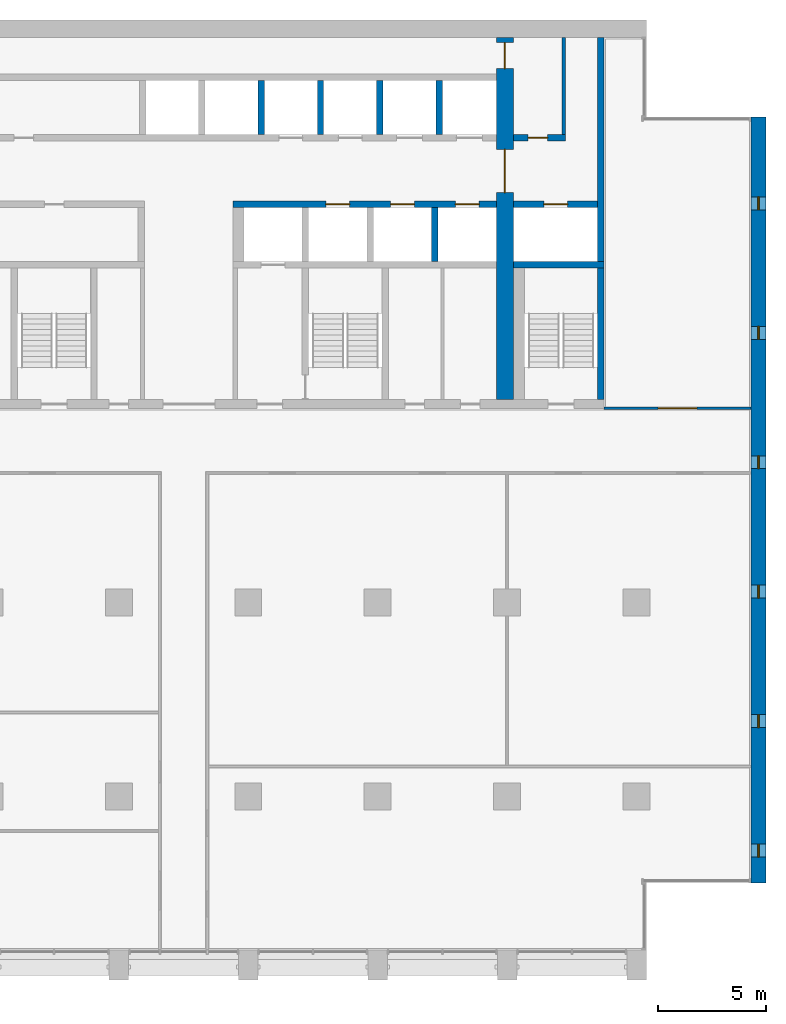
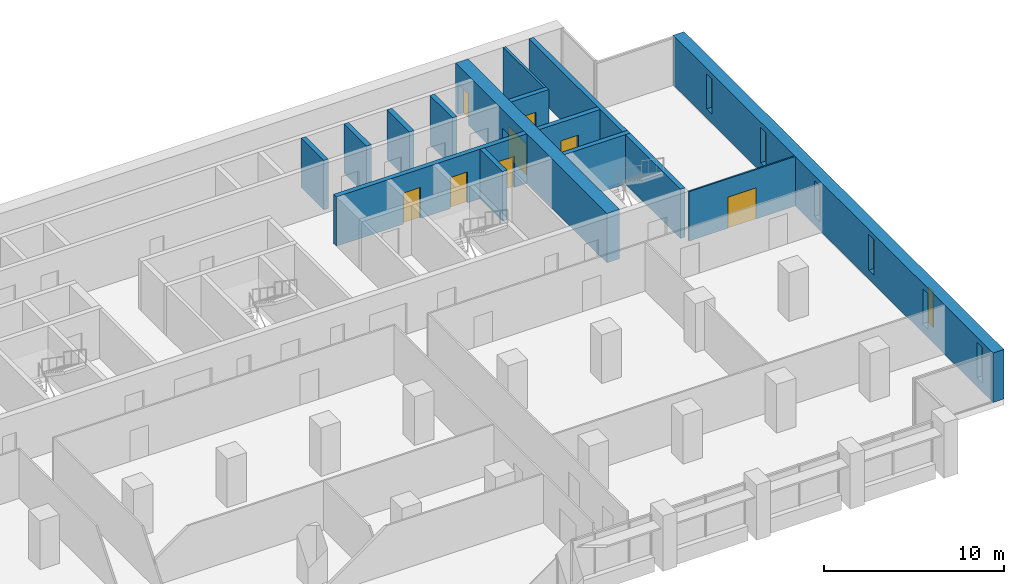
# One storey, part 11 of 15: 15 walls, 8 doors, 6 windows, 14 openings.
"""IFC4 building model written with IfcOpenShell, lengths in metres."""

from ifc_helpers import new_model, si_unit, direction, frame, frame_2d, origin, place, context, subcontext, project, spatial, rectangle, extrude, material, layer, layer_set, type_object, element, fill, save


model = new_model("IFC4")

# Units and contexts
model_context = context("Model", 3, precision=1e-05, world=origin(), true_north=direction((0.0, 1.0)))
body_context = subcontext(model_context, "Body", "Model", "MODEL_VIEW")
ifc_project = project(units=[si_unit("LENGTHUNIT", "METRE"), si_unit("AREAUNIT", "SQUARE_METRE"), si_unit("VOLUMEUNIT", "CUBIC_METRE"), si_unit("PLANEANGLEUNIT", "RADIAN"), si_unit("MASSUNIT", "GRAM", prefix="KILO")], contexts=[model_context])

# Site, building, storey
site_placement = place(None, origin())
site = spatial("IfcSite", under=ifc_project, at=site_placement, CompositionType="ELEMENT")
building_placement = place(site_placement, origin())
building = spatial("IfcBuilding", under=site, at=building_placement, Name="Calvaro Tower", CompositionType="ELEMENT")
storey_placement = place(building_placement, frame((0.0, 0.0, 143.75)))
storey = spatial("IfcBuildingStorey", under=building, at=storey_placement, Name="L36", CompositionType="ELEMENT", Elevation=143.75)

# Wall
ifc_material_1 = material(Name="Blockwork partition", Category="masonry")
ifc_layer_1 = layer(ifc_material_1, 0.14990234375)
ifc_layer_set_1 = layer_set([ifc_layer_1], Name="Blockwork partition")
wall_type_1 = type_object("IfcWallType", Name="Core partition 150 REI 120", PredefinedType="PARTITIONING", material=ifc_layer_set_1)
wall_1_placement = place(storey_placement, frame((62.625, 40.699951171875, 0.0), z_axis=(0.0, 0.0, 1.0), x_axis=(0.0, 1.0, 0.0)))
element("IfcWall", 1, at=wall_1_placement, inside=storey, type_object=wall_type_1, Name="Core partition", PredefinedType="PARTITIONING", context=body_context, shape_type="SweptSolid", body=[
    extrude(rectangle(XDim=4.5, YDim=0.14990234375, at=frame_2d((2.25, 0.0))), origin(), (0.0, 0.0, 1.0), 3.35009765625),
])

# Wall, opening, door
ifc_material_2 = material(Name="Blockwork partition", Category="masonry")
ifc_layer_2 = layer(ifc_material_2, 0.300048828125)
ifc_layer_set_2 = layer_set([ifc_layer_2], Name="Blockwork partition")
wall_type_2 = type_object("IfcWallType", Name="Core partition 300 REI 120", PredefinedType="PARTITIONING", material=ifc_layer_set_2)
wall_2_placement = place(storey_placement, frame((60.300048828125, 40.550048828125, 0.0), z_axis=(0.0, 0.0, 1.0), x_axis=(1.0, 0.0, 0.0)))
wall_2 = element("IfcWall", 2, at=wall_2_placement, inside=storey, type_object=wall_type_2, Name="Core partition", PredefinedType="PARTITIONING", context=body_context, shape_type="SweptSolid", body=[
    extrude(rectangle(XDim=2.39990234375, YDim=0.300048828125, at=frame_2d((1.199951171875, 0.0))), origin(), (0.0, 0.0, 1.0), 3.35009765625),
])
opening_1_placement = place(wall_2_placement, frame((0.675048828125, 0.0, 0.0)))
opening_1 = element("IfcOpeningElement", 3, at=opening_1_placement, cuts=wall_2, Name="Opening RD9E", PredefinedType="OPENING", context=body_context, shape_type="SweptSolid", body=[
    extrude(rectangle(XDim=0.89990234375, YDim=2.10009765625, at=frame_2d((0.449951171875, 1.050048828125))), frame((0.0, 0.159912109375, 0.0), z_axis=(0.0, -1.0, 0.0), x_axis=(1.0, 0.0, 0.0)), (0.0, 0.0, 1.0), 0.320068359375),
])
ifc_material_3 = material(Name="Steel door set", Category="steel")
door_type_1 = type_object("IfcDoorType", Name="Room door 900 FD60", OperationType="SINGLE_SWING_LEFT", PredefinedType="DOOR", material=ifc_material_3)
door_1_placement = place(opening_1_placement, origin())
door_1 = element("IfcDoor", 4, at=door_1_placement, inside=storey, type_object=door_type_1, Name="Room door", OperationType="SINGLE_SWING_LEFT", OverallHeight=2.10009765625, OverallWidth=0.89990234375, PredefinedType="DOOR", context=body_context, shape_type="SweptSolid", body=[
    extrude(rectangle(XDim=0.89990234375, YDim=2.10009765625, at=frame_2d((0.449951171875, 1.050048828125))), frame((0.0, 0.02490234375, 0.0), z_axis=(0.0, -1.0, 0.0), x_axis=(1.0, 0.0, 0.0)), (0.0, 0.0, 1.0), 0.050048828125),
])
fill(opening_1, door_1)

# Walls
ifc_material_4 = material(Name="Concrete C60/75", Category="concrete")
ifc_layer_3 = layer(ifc_material_4, 0.300048828125)
ifc_layer_set_3 = layer_set([ifc_layer_3], Name="Concrete C60/75")
wall_type_3 = type_object("IfcWallType", Name="Core wall C60/75 300", PredefinedType="SHEAR", material=ifc_layer_set_3)
wall_3_placement = place(storey_placement, frame((64.35009765625, 34.800048828125, 0.0), z_axis=(0.0, 0.0, 1.0), x_axis=(0.0, 1.0, 0.0)))
element("IfcWall", 5, at=wall_3_placement, inside=storey, type_object=wall_type_3, Name="Core wall, boundary", PredefinedType="SHEAR", context=body_context, shape_type="SweptSolid", body=[
    extrude(rectangle(XDim=10.39990234375, YDim=0.300048828125, at=frame_2d((5.199951171875, 0.0))), origin(), (0.0, 0.0, 1.0), 3.35009765625),
])
wall_4_placement = place(storey_placement, frame((64.35009765625, 28.39990234375, 0.0), z_axis=(0.0, 0.0, 1.0), x_axis=(0.0, 1.0, 0.0)))
element("IfcWall", 6, at=wall_4_placement, inside=storey, type_object=wall_type_3, Name="Core wall, stair enclosure", PredefinedType="SHEAR", context=body_context, shape_type="SweptSolid", body=[
    extrude(rectangle(XDim=6.10009765625, YDim=0.300048828125, at=frame_2d((3.050048828125, 0.0))), origin(), (0.0, 0.0, 1.0), 3.35009765625),
])
wall_5_placement = place(storey_placement, frame((60.300048828125, 34.64990234375, 0.0), z_axis=(0.0, 0.0, 1.0), x_axis=(1.0, 0.0, 0.0)))
element("IfcWall", 7, at=wall_5_placement, inside=storey, type_object=wall_type_3, Name="Core wall, lift shaft", PredefinedType="SHEAR", context=body_context, shape_type="SweptSolid", body=[
    extrude(rectangle(XDim=4.199951171875, YDim=0.300048828125, at=frame_2d((2.10009765625, 0.0))), origin(), (0.0, 0.0, 1.0), 3.35009765625),
])

# Wall, openings, doors
wall_6_placement = place(storey_placement, frame((47.300048828125, 37.449951171875, 0.0), z_axis=(0.0, 0.0, 1.0), x_axis=(1.0, 0.0, 0.0)))
wall_6 = element("IfcWall", 8, at=wall_6_placement, inside=storey, type_object=wall_type_3, Name="Core wall, lift shaft", PredefinedType="SHEAR", context=body_context, shape_type="SweptSolid", body=[
    extrude(rectangle(XDim=12.199951171875, YDim=0.300048828125, at=frame_2d((6.10009765625, 0.0))), origin(), (0.0, 0.0, 1.0), 3.35009765625),
])
opening_2_placement = place(wall_6_placement, frame((4.300048828125, 0.0, 0.0)))
opening_2 = element("IfcOpeningElement", 9, at=opening_2_placement, cuts=wall_6, Name="Opening MR1", PredefinedType="OPENING", context=body_context, shape_type="SweptSolid", body=[
    extrude(rectangle(XDim=1.10009765625, YDim=2.10009765625, at=frame_2d((0.550048828125, 1.050048828125))), frame((0.0, 0.159912109375, 0.0), z_axis=(0.0, -1.0, 0.0), x_axis=(1.0, 0.0, 0.0)), (0.0, 0.0, 1.0), 0.320068359375),
])
opening_3_placement = place(wall_6_placement, frame((7.300048828125, 0.0, 0.0)))
opening_3 = element("IfcOpeningElement", 10, at=opening_3_placement, cuts=wall_6, Name="Opening MR2", PredefinedType="OPENING", context=body_context, shape_type="SweptSolid", body=[
    extrude(rectangle(XDim=1.10009765625, YDim=2.10009765625, at=frame_2d((0.550048828125, 1.050048828125))), frame((0.0, 0.159912109375, 0.0), z_axis=(0.0, -1.0, 0.0), x_axis=(1.0, 0.0, 0.0)), (0.0, 0.0, 1.0), 0.320068359375),
])
opening_4_placement = place(wall_6_placement, frame((10.300048828125, 0.0, 0.0)))
opening_4 = element("IfcOpeningElement", 11, at=opening_4_placement, cuts=wall_6, Name="Opening MR3", PredefinedType="OPENING", context=body_context, shape_type="SweptSolid", body=[
    extrude(rectangle(XDim=1.10009765625, YDim=2.10009765625, at=frame_2d((0.550048828125, 1.050048828125))), frame((0.0, 0.159912109375, 0.0), z_axis=(0.0, -1.0, 0.0), x_axis=(1.0, 0.0, 0.0)), (0.0, 0.0, 1.0), 0.320068359375),
])
ifc_material_5 = material(Name="Stainless steel", Category="steel")
door_type_2 = type_object("IfcDoorType", Name="Landing door 1100 E 60", OperationType="SLIDING_TO_LEFT", PredefinedType="DOOR", material=ifc_material_5)
door_2_placement = place(opening_2_placement, origin())
door_2 = element("IfcDoor", 12, at=door_2_placement, inside=storey, type_object=door_type_2, Name="Landing door MR1", OperationType="SLIDING_TO_LEFT", OverallHeight=2.10009765625, OverallWidth=1.10009765625, PredefinedType="DOOR", context=body_context, shape_type="SweptSolid", body=[
    extrude(rectangle(XDim=1.10009765625, YDim=2.10009765625, at=frame_2d((0.550048828125, 1.050048828125))), frame((0.0, 0.02490234375, 0.0), z_axis=(0.0, -1.0, 0.0), x_axis=(1.0, 0.0, 0.0)), (0.0, 0.0, 1.0), 0.050048828125),
])
fill(opening_2, door_2)
door_3_placement = place(opening_3_placement, origin())
door_3 = element("IfcDoor", 13, at=door_3_placement, inside=storey, type_object=door_type_2, Name="Landing door MR2", OperationType="SLIDING_TO_LEFT", OverallHeight=2.10009765625, OverallWidth=1.10009765625, PredefinedType="DOOR", context=body_context, shape_type="SweptSolid", body=[
    extrude(rectangle(XDim=1.10009765625, YDim=2.10009765625, at=frame_2d((0.550048828125, 1.050048828125))), frame((0.0, 0.02490234375, 0.0), z_axis=(0.0, -1.0, 0.0), x_axis=(1.0, 0.0, 0.0)), (0.0, 0.0, 1.0), 0.050048828125),
])
fill(opening_3, door_3)
door_4_placement = place(opening_4_placement, origin())
door_4 = element("IfcDoor", 14, at=door_4_placement, inside=storey, type_object=door_type_2, Name="Landing door MR3", OperationType="SLIDING_TO_LEFT", OverallHeight=2.10009765625, OverallWidth=1.10009765625, PredefinedType="DOOR", context=body_context, shape_type="SweptSolid", body=[
    extrude(rectangle(XDim=1.10009765625, YDim=2.10009765625, at=frame_2d((0.550048828125, 1.050048828125))), frame((0.0, 0.02490234375, 0.0), z_axis=(0.0, -1.0, 0.0), x_axis=(1.0, 0.0, 0.0)), (0.0, 0.0, 1.0), 0.050048828125),
])
fill(opening_4, door_4)

# Wall, opening, door
wall_7_placement = place(storey_placement, frame((60.300048828125, 37.449951171875, 0.0), z_axis=(0.0, 0.0, 1.0), x_axis=(1.0, 0.0, 0.0)))
wall_7 = element("IfcWall", 15, at=wall_7_placement, inside=storey, type_object=wall_type_3, Name="Core wall, lift shaft", PredefinedType="SHEAR", context=body_context, shape_type="SweptSolid", body=[
    extrude(rectangle(XDim=3.89990234375, YDim=0.300048828125, at=frame_2d((1.949951171875, 0.0))), origin(), (0.0, 0.0, 1.0), 3.35009765625),
])
opening_5_placement = place(wall_7_placement, frame((1.39990234375, 0.0, 0.0)))
opening_5 = element("IfcOpeningElement", 16, at=opening_5_placement, cuts=wall_7, Name="Opening FF3", PredefinedType="OPENING", context=body_context, shape_type="SweptSolid", body=[
    extrude(rectangle(XDim=1.10009765625, YDim=2.10009765625, at=frame_2d((0.550048828125, 1.050048828125))), frame((0.0, 0.159912109375, 0.0), z_axis=(0.0, -1.0, 0.0), x_axis=(1.0, 0.0, 0.0)), (0.0, 0.0, 1.0), 0.320068359375),
])
door_5_placement = place(opening_5_placement, origin())
door_5 = element("IfcDoor", 17, at=door_5_placement, inside=storey, type_object=door_type_2, Name="Landing door FF3", OperationType="SLIDING_TO_LEFT", OverallHeight=2.10009765625, OverallWidth=1.10009765625, PredefinedType="DOOR", context=body_context, shape_type="SweptSolid", body=[
    extrude(rectangle(XDim=1.10009765625, YDim=2.10009765625, at=frame_2d((0.550048828125, 1.050048828125))), frame((0.0, 0.02490234375, 0.0), z_axis=(0.0, -1.0, 0.0), x_axis=(1.0, 0.0, 0.0)), (0.0, 0.0, 1.0), 0.050048828125),
])
fill(opening_5, door_5)

# Walls
for number, where, z_axis, x_axis, name in (
    (18, (56.64990234375, 34.800048828125, 0.0), (0.0, 0.0, 1.0), (0.0, 1.0, 0.0), "Core wall, lift shaft"),
    (19, (48.60009765625, 40.699951171875, 0.0), (0.0, 0.0, 1.0), (0.0, 1.0, 0.0), "Core wall, lift shaft"),
    (20, (51.35009765625, 40.699951171875, 0.0), (0.0, 0.0, 1.0), (0.0, 1.0, 0.0), "Core wall, lift shaft"),
    (21, (54.10009765625, 40.699951171875, 0.0), (0.0, 0.0, 1.0), (0.0, 1.0, 0.0), "Core wall, lift shaft"),
    (22, (56.85009765625, 40.699951171875, 0.0), (0.0, 0.0, 1.0), (0.0, 1.0, 0.0), "Core wall, lift shaft"),
):
    element("IfcWall", number, at=place(storey_placement, frame(where, z_axis=z_axis, x_axis=x_axis)), inside=storey, type_object=wall_type_3, Name=name, PredefinedType="SHEAR", context=body_context, shape_type="SweptSolid", body=[
        extrude(rectangle(XDim=2.5, YDim=0.300048828125, at=frame_2d((1.25, 0.0))), origin(), (0.0, 0.0, 1.0), 3.35009765625),
    ])

# Wall, openings, doors
ifc_material_6 = material(Name="Concrete C60/75", Category="concrete")
ifc_layer_4 = layer(ifc_material_6, 0.800048828125)
ifc_layer_set_4 = layer_set([ifc_layer_4], Name="Concrete C60/75")
wall_type_4 = type_object("IfcWallType", Name="Core wall C60/75 800", PredefinedType="SHEAR", material=ifc_layer_set_4)
wall_8_placement = place(storey_placement, frame((59.89990234375, 28.39990234375, 0.0), z_axis=(0.0, 0.0, 1.0), x_axis=(0.0, 1.0, 0.0)))
wall_8 = element("IfcWall", 23, at=wall_8_placement, inside=storey, type_object=wall_type_4, Name="Core wall, cross shear wall", PredefinedType="SHEAR", context=body_context, shape_type="SweptSolid", body=[
    extrude(rectangle(XDim=16.800048828125, YDim=0.800048828125, at=frame_2d((8.39990234375, 0.0))), origin(), (0.0, 0.0, 1.0), 3.35009765625),
])
opening_6_placement = place(wall_8_placement, frame((9.60009765625, 0.0, 0.0)))
opening_6 = element("IfcOpeningElement", 24, at=opening_6_placement, cuts=wall_8, Name="Opening DD20D", PredefinedType="OPENING", context=body_context, shape_type="SweptSolid", body=[
    extrude(rectangle(XDim=2.0, YDim=2.10009765625, at=frame_2d((1.0, 1.050048828125))), frame((0.0, 0.409912109375, 0.0), z_axis=(0.0, -1.0, 0.0), x_axis=(1.0, 0.0, 0.0)), (0.0, 0.0, 1.0), 0.820068359375),
])
opening_7_placement = place(wall_8_placement, frame((15.35009765625, 0.0, 0.0)))
opening_7 = element("IfcOpeningElement", 25, at=opening_7_placement, cuts=wall_8, Name="Opening FD12C", PredefinedType="OPENING", context=body_context, shape_type="SweptSolid", body=[
    extrude(rectangle(XDim=1.199951171875, YDim=2.10009765625, at=frame_2d((0.60009765625, 1.050048828125))), frame((0.0, 0.409912109375, 0.0), z_axis=(0.0, -1.0, 0.0), x_axis=(1.0, 0.0, 0.0)), (0.0, 0.0, 1.0), 0.820068359375),
])
ifc_material_7 = material(Name="Steel door set", Category="steel")
door_type_3 = type_object("IfcDoorType", Name="Fire door 1200 FD30", OperationType="SINGLE_SWING_LEFT", PredefinedType="DOOR", material=ifc_material_7)
door_6_placement = place(opening_7_placement, origin())
door_6 = element("IfcDoor", 26, at=door_6_placement, inside=storey, type_object=door_type_3, Name="Fire door", OperationType="SINGLE_SWING_LEFT", OverallHeight=2.10009765625, OverallWidth=1.199951171875, PredefinedType="DOOR", context=body_context, shape_type="SweptSolid", body=[
    extrude(rectangle(XDim=1.199951171875, YDim=2.10009765625, at=frame_2d((0.60009765625, 1.050048828125))), frame((0.0, 0.02490234375, 0.0), z_axis=(0.0, -1.0, 0.0), x_axis=(1.0, 0.0, 0.0)), (0.0, 0.0, 1.0), 0.050048828125),
])
fill(opening_7, door_6)
ifc_material_8 = material(Name="Steel door set", Category="steel")
door_type_4 = type_object("IfcDoorType", Name="Lobby double door 2000 FD30S", OperationType="DOUBLE_DOOR_SINGLE_SWING", PredefinedType="DOOR", material=ifc_material_8)
door_7_placement = place(opening_6_placement, origin())
door_7 = element("IfcDoor", 27, at=door_7_placement, inside=storey, type_object=door_type_4, Name="Lobby double door", OperationType="DOUBLE_DOOR_SINGLE_SWING", OverallHeight=2.10009765625, OverallWidth=2.0, PredefinedType="DOOR", context=body_context, shape_type="SweptSolid", body=[
    extrude(rectangle(XDim=2.0, YDim=2.10009765625, at=frame_2d((1.0, 1.050048828125))), frame((0.0, 0.02490234375, 0.0), z_axis=(0.0, -1.0, 0.0), x_axis=(1.0, 0.0, 0.0)), (0.0, 0.0, 1.0), 0.050048828125),
])
fill(opening_6, door_7)

# Wall, openings, windows
ifc_material_9 = material(Name="Concrete C60/75", Category="concrete")
ifc_layer_5 = layer(ifc_material_9, 0.699951171875)
ifc_layer_set_5 = layer_set([ifc_layer_5], Name="Concrete C60/75")
wall_type_5 = type_object("IfcWallType", Name="End wall 700 C60/75", PredefinedType="SHEAR", material=ifc_layer_set_5)
wall_9_placement = place(storey_placement, frame((71.64990234375, 6.0, 0.0), z_axis=(0.0, 0.0, 1.0), x_axis=(0.0, 1.0, 0.0)))
wall_9 = element("IfcWall", 28, at=wall_9_placement, inside=storey, type_object=wall_type_5, Name="End shear wall", PredefinedType="SHEAR", context=body_context, shape_type="SweptSolid", body=[
    extrude(rectangle(XDim=35.5, YDim=0.699951171875, at=frame_2d((17.75, 0.0))), origin(), (0.0, 0.0, 1.0), 3.35009765625),
])
opening_8_placement = place(wall_9_placement, frame((1.199951171875, 0.0, 0.60009765625)))
opening_8 = element("IfcOpeningElement", 29, at=opening_8_placement, cuts=wall_9, Name="Opening WE01", PredefinedType="OPENING", context=body_context, shape_type="SweptSolid", body=[
    extrude(rectangle(XDim=0.60009765625, YDim=2.39990234375, at=frame_2d((0.300048828125, 1.199951171875))), frame((0.0, 0.35986328125, 0.0), z_axis=(0.0, -1.0, 0.0), x_axis=(1.0, 0.0, 0.0)), (0.0, 0.0, 1.0), 0.719970703125),
])
opening_9_placement = place(wall_9_placement, frame((7.199951171875, 0.0, 0.60009765625)))
opening_9 = element("IfcOpeningElement", 30, at=opening_9_placement, cuts=wall_9, Name="Opening WE02", PredefinedType="OPENING", context=body_context, shape_type="SweptSolid", body=[
    extrude(rectangle(XDim=0.60009765625, YDim=2.39990234375, at=frame_2d((0.300048828125, 1.199951171875))), frame((0.0, 0.35986328125, 0.0), z_axis=(0.0, -1.0, 0.0), x_axis=(1.0, 0.0, 0.0)), (0.0, 0.0, 1.0), 0.719970703125),
])
opening_10_placement = place(wall_9_placement, frame((13.199951171875, 0.0, 0.60009765625)))
opening_10 = element("IfcOpeningElement", 31, at=opening_10_placement, cuts=wall_9, Name="Opening WE03", PredefinedType="OPENING", context=body_context, shape_type="SweptSolid", body=[
    extrude(rectangle(XDim=0.60009765625, YDim=2.39990234375, at=frame_2d((0.300048828125, 1.199951171875))), frame((0.0, 0.35986328125, 0.0), z_axis=(0.0, -1.0, 0.0), x_axis=(1.0, 0.0, 0.0)), (0.0, 0.0, 1.0), 0.719970703125),
])
opening_11_placement = place(wall_9_placement, frame((19.199951171875, 0.0, 0.60009765625)))
opening_11 = element("IfcOpeningElement", 32, at=opening_11_placement, cuts=wall_9, Name="Opening WE04", PredefinedType="OPENING", context=body_context, shape_type="SweptSolid", body=[
    extrude(rectangle(XDim=0.60009765625, YDim=2.39990234375, at=frame_2d((0.300048828125, 1.199951171875))), frame((0.0, 0.35986328125, 0.0), z_axis=(0.0, -1.0, 0.0), x_axis=(1.0, 0.0, 0.0)), (0.0, 0.0, 1.0), 0.719970703125),
])
opening_12_placement = place(wall_9_placement, frame((25.199951171875, 0.0, 0.60009765625)))
opening_12 = element("IfcOpeningElement", 33, at=opening_12_placement, cuts=wall_9, Name="Opening WE05", PredefinedType="OPENING", context=body_context, shape_type="SweptSolid", body=[
    extrude(rectangle(XDim=0.60009765625, YDim=2.39990234375, at=frame_2d((0.300048828125, 1.199951171875))), frame((0.0, 0.35986328125, 0.0), z_axis=(0.0, -1.0, 0.0), x_axis=(1.0, 0.0, 0.0)), (0.0, 0.0, 1.0), 0.719970703125),
])
opening_13_placement = place(wall_9_placement, frame((31.199951171875, 0.0, 0.60009765625)))
opening_13 = element("IfcOpeningElement", 34, at=opening_13_placement, cuts=wall_9, Name="Opening WE06", PredefinedType="OPENING", context=body_context, shape_type="SweptSolid", body=[
    extrude(rectangle(XDim=0.60009765625, YDim=2.39990234375, at=frame_2d((0.300048828125, 1.199951171875))), frame((0.0, 0.35986328125, 0.0), z_axis=(0.0, -1.0, 0.0), x_axis=(1.0, 0.0, 0.0)), (0.0, 0.0, 1.0), 0.719970703125),
])
ifc_material_10 = material(Name="Glass", Category="glass")
window_type = type_object("IfcWindowType", Name="Slit window 600 x 2400", PartitioningType="SINGLE_PANEL", PredefinedType="WINDOW", material=ifc_material_10)
window_1_placement = place(opening_8_placement, origin())
window_1 = element("IfcWindow", 35, at=window_1_placement, inside=storey, type_object=window_type, Name="Window WE01", OverallHeight=2.39990234375, OverallWidth=0.60009765625, PartitioningType="SINGLE_PANEL", PredefinedType="WINDOW", context=body_context, shape_type="SweptSolid", body=[
    extrude(rectangle(XDim=0.60009765625, YDim=2.39990234375, at=frame_2d((0.300048828125, 1.199951171875))), frame((0.0, 0.030029296875, 0.0), z_axis=(0.0, -1.0, 0.0), x_axis=(1.0, 0.0, 0.0)), (0.0, 0.0, 1.0), 0.06005859375),
])
fill(opening_8, window_1)
window_2_placement = place(opening_9_placement, origin())
window_2 = element("IfcWindow", 36, at=window_2_placement, inside=storey, type_object=window_type, Name="Window WE02", OverallHeight=2.39990234375, OverallWidth=0.60009765625, PartitioningType="SINGLE_PANEL", PredefinedType="WINDOW", context=body_context, shape_type="SweptSolid", body=[
    extrude(rectangle(XDim=0.60009765625, YDim=2.39990234375, at=frame_2d((0.300048828125, 1.199951171875))), frame((0.0, 0.030029296875, 0.0), z_axis=(0.0, -1.0, 0.0), x_axis=(1.0, 0.0, 0.0)), (0.0, 0.0, 1.0), 0.06005859375),
])
fill(opening_9, window_2)
window_3_placement = place(opening_10_placement, origin())
window_3 = element("IfcWindow", 37, at=window_3_placement, inside=storey, type_object=window_type, Name="Window WE03", OverallHeight=2.39990234375, OverallWidth=0.60009765625, PartitioningType="SINGLE_PANEL", PredefinedType="WINDOW", context=body_context, shape_type="SweptSolid", body=[
    extrude(rectangle(XDim=0.60009765625, YDim=2.39990234375, at=frame_2d((0.300048828125, 1.199951171875))), frame((0.0, 0.030029296875, 0.0), z_axis=(0.0, -1.0, 0.0), x_axis=(1.0, 0.0, 0.0)), (0.0, 0.0, 1.0), 0.06005859375),
])
fill(opening_10, window_3)
window_4_placement = place(opening_11_placement, origin())
window_4 = element("IfcWindow", 38, at=window_4_placement, inside=storey, type_object=window_type, Name="Window WE04", OverallHeight=2.39990234375, OverallWidth=0.60009765625, PartitioningType="SINGLE_PANEL", PredefinedType="WINDOW", context=body_context, shape_type="SweptSolid", body=[
    extrude(rectangle(XDim=0.60009765625, YDim=2.39990234375, at=frame_2d((0.300048828125, 1.199951171875))), frame((0.0, 0.030029296875, 0.0), z_axis=(0.0, -1.0, 0.0), x_axis=(1.0, 0.0, 0.0)), (0.0, 0.0, 1.0), 0.06005859375),
])
fill(opening_11, window_4)
window_5_placement = place(opening_12_placement, origin())
window_5 = element("IfcWindow", 39, at=window_5_placement, inside=storey, type_object=window_type, Name="Window WE05", OverallHeight=2.39990234375, OverallWidth=0.60009765625, PartitioningType="SINGLE_PANEL", PredefinedType="WINDOW", context=body_context, shape_type="SweptSolid", body=[
    extrude(rectangle(XDim=0.60009765625, YDim=2.39990234375, at=frame_2d((0.300048828125, 1.199951171875))), frame((0.0, 0.030029296875, 0.0), z_axis=(0.0, -1.0, 0.0), x_axis=(1.0, 0.0, 0.0)), (0.0, 0.0, 1.0), 0.06005859375),
])
fill(opening_12, window_5)
window_6_placement = place(opening_13_placement, origin())
window_6 = element("IfcWindow", 40, at=window_6_placement, inside=storey, type_object=window_type, Name="Window WE06", OverallHeight=2.39990234375, OverallWidth=0.60009765625, PartitioningType="SINGLE_PANEL", PredefinedType="WINDOW", context=body_context, shape_type="SweptSolid", body=[
    extrude(rectangle(XDim=0.60009765625, YDim=2.39990234375, at=frame_2d((0.300048828125, 1.199951171875))), frame((0.0, 0.030029296875, 0.0), z_axis=(0.0, -1.0, 0.0), x_axis=(1.0, 0.0, 0.0)), (0.0, 0.0, 1.0), 0.06005859375),
])
fill(opening_13, window_6)

# Wall, opening, door
ifc_material_11 = material(Name="Plasterboard on steel studs", Category="steel")
ifc_layer_6 = layer(ifc_material_11, 0.10009765625)
ifc_layer_set_6 = layer_set([ifc_layer_6], Name="Plasterboard on steel studs")
wall_type_6 = type_object("IfcWallType", Name="Partition 100", PredefinedType="PARTITIONING", material=ifc_layer_set_6)
wall_10_placement = place(storey_placement, frame((64.5, 28.0, 0.0), z_axis=(0.0, 0.0, 1.0), x_axis=(1.0, 0.0, 0.0)))
wall_10 = element("IfcWall", 41, at=wall_10_placement, inside=storey, type_object=wall_type_6, Name="Partition T22.W009", PredefinedType="PARTITIONING", context=body_context, shape_type="SweptSolid", body=[
    extrude(rectangle(XDim=6.800048828125, YDim=0.10009765625, at=frame_2d((3.39990234375, 0.0))), origin(), (0.0, 0.0, 1.0), 3.35009765625),
])
opening_14_placement = place(wall_10_placement, frame((2.5, 0.0, 0.0)))
opening_14 = element("IfcOpeningElement", 42, at=opening_14_placement, cuts=wall_10, Name="Opening T22.016", PredefinedType="OPENING", context=body_context, shape_type="SweptSolid", body=[
    extrude(rectangle(XDim=1.800048828125, YDim=2.10009765625, at=frame_2d((0.89990234375, 1.050048828125))), frame((0.0, 0.06005859375, 0.0), z_axis=(0.0, -1.0, 0.0), x_axis=(1.0, 0.0, 0.0)), (0.0, 0.0, 1.0), 0.1201171875),
])
ifc_material_12 = material(Name="Timber", Category="wood")
door_type_5 = type_object("IfcDoorType", Name="Internal double door 1800 x 2100", OperationType="DOUBLE_DOOR_SINGLE_SWING", PredefinedType="DOOR", material=ifc_material_12)
door_8_placement = place(opening_14_placement, origin())
door_8 = element("IfcDoor", 43, at=door_8_placement, inside=storey, type_object=door_type_5, Name="Door T22.016", OperationType="DOUBLE_DOOR_SINGLE_SWING", OverallHeight=2.10009765625, OverallWidth=1.800048828125, PredefinedType="DOOR", context=body_context, shape_type="SweptSolid", body=[
    extrude(rectangle(XDim=1.800048828125, YDim=2.10009765625, at=frame_2d((0.89990234375, 1.050048828125))), frame((0.0, 0.02490234375, 0.0), z_axis=(0.0, -1.0, 0.0), x_axis=(1.0, 0.0, 0.0)), (0.0, 0.0, 1.0), 0.050048828125),
])
fill(opening_14, door_8)

save(model, "model.ifc")
